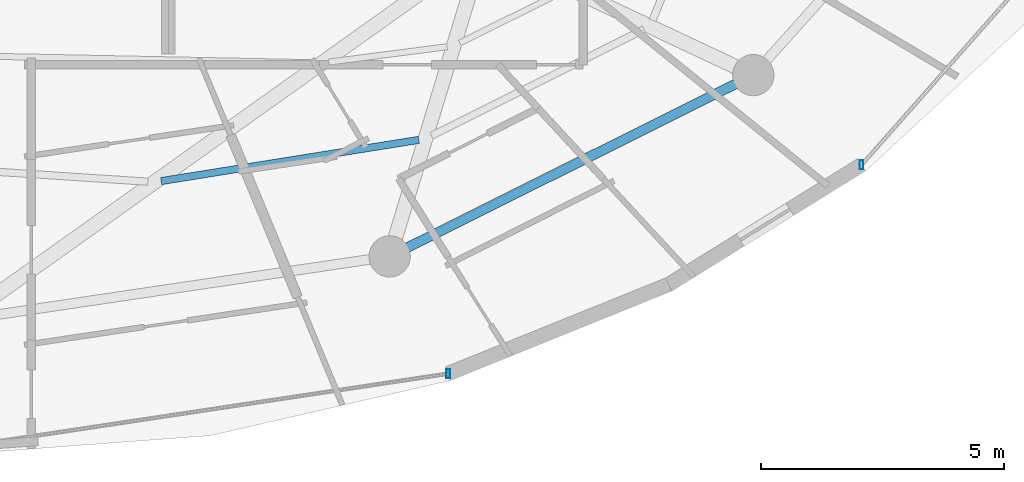
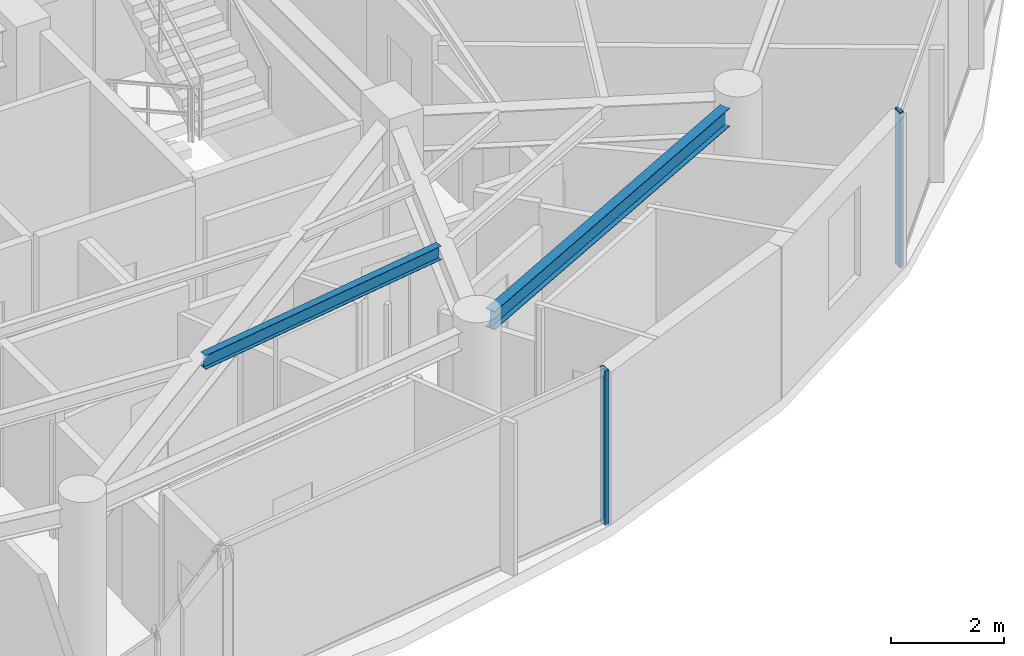
# One storey, part 11 of 31: 2 beams, 2 members, 2 elements without a shape of their own.
"""IFC4 building model written with IfcOpenShell, lengths in metres."""

from ifc_helpers import new_model, si_unit, direction, frame, origin, origin_2d, place, context, subcontext, project, spatial, hollow_rectangle, i_section, extrude, material, material_profile, profile_set, type_object, element, aggregate, save


model = new_model("IFC4")

# Units and contexts
model_context = context("Model", 3, precision=1e-05, world=origin(), true_north=direction((0.0, 1.0)))
body_context = subcontext(model_context, "Body", "Model", "MODEL_VIEW")
ifc_project = project(units=[si_unit("LENGTHUNIT", "METRE"), si_unit("AREAUNIT", "SQUARE_METRE"), si_unit("VOLUMEUNIT", "CUBIC_METRE"), si_unit("PLANEANGLEUNIT", "RADIAN"), si_unit("MASSUNIT", "GRAM", prefix="KILO")], contexts=[model_context])

# Site, building, storey
site_placement = place(None, origin())
site = spatial("IfcSite", under=ifc_project, at=site_placement, CompositionType="ELEMENT")
building_placement = place(site_placement, origin())
building = spatial("IfcBuilding", under=site, at=building_placement, Name="Vorneva Point Tower", CompositionType="ELEMENT")
storey_placement = place(building_placement, frame((0.0, 0.0, 244.89990234375)))
storey = spatial("IfcBuildingStorey", under=building, at=storey_placement, Name="L66", CompositionType="ELEMENT", Elevation=244.89990234375)

# Beams
ifc_material_1 = material(Name="Steel S355", Category="steel")
ifc_material_profile_1 = material_profile(ifc_material_1, i_section(OverallWidth=0.14892578125, OverallDepth=0.298095703125, WebThickness=0.005615234375, FlangeThickness=0.008056640625, at=origin_2d()), Name="30B1")
ifc_profile_set_1 = profile_set([ifc_material_profile_1], Name="Steel S355")
beam_type_1 = type_object("IfcBeamType", Name="BM-JST-30B1", PredefinedType="JOIST", material=ifc_profile_set_1)
beam_1_placement = place(storey_placement, frame((42.121826171875, 11.658203125, 3.14111328125), z_axis=(0.987444038717, 0.157969207134, 0.0), x_axis=(-0.157969207134, 0.987444038717, 0.0)))
element("IfcBeam", 1, at=beam_1_placement, inside=storey, type_object=beam_type_1, Name="L66 Secondary Floor Beam 1.13", PredefinedType="JOIST", context=body_context, shape_type="SweptSolid", body=[
    extrude(i_section(OverallWidth=0.14892578125, OverallDepth=0.298095703125, WebThickness=0.005615234375, FlangeThickness=0.008056640625, at=origin_2d()), origin(), (0.0, 0.0, 1.0), 5.365966796875),
])
ifc_material_profile_2 = material_profile(ifc_material_1, i_section(OverallWidth=0.198974609375, OverallDepth=0.39599609375, WebThickness=0.007080078125, FlangeThickness=0.010986328125, at=origin_2d()), Name="40B1")
ifc_profile_set_2 = profile_set([ifc_material_profile_2], Name="Steel S355")
beam_type_2 = type_object("IfcBeamType", Name="BM-SPN-40B1", PredefinedType="SPANDREL", material=ifc_profile_set_2)
beam_2_placement = place(storey_placement, frame((47.187744140625, 10.292236328125, 3.092041015625), z_axis=(0.894932011528, 0.446202526599, 0.0), x_axis=(-0.446202526599, 0.894932011528, 0.0)))
element("IfcBeam", 2, at=beam_2_placement, inside=storey, type_object=beam_type_2, Name="L66 Perimeter Spandrel Ring Beam 14", PredefinedType="SPANDREL", context=body_context, shape_type="SweptSolid", body=[
    extrude(i_section(OverallWidth=0.198974609375, OverallDepth=0.39599609375, WebThickness=0.007080078125, FlangeThickness=0.010986328125, at=origin_2d()), origin(), (0.0, 0.0, 1.0), 7.535888671875),
])

# Curtain wall, member
ifc_material_2 = material(Name="Pale anodised aluminium", Category="aluminium")
curtain_wall_type = type_object("IfcCurtainWallType", Name="CW-RES-SYS", PredefinedType="NOTDEFINED", material=ifc_material_2)
curtain_wall_1_placement = place(storey_placement, origin())
curtain_wall_1 = element("IfcCurtainWall", 3, at=curtain_wall_1_placement, inside=storey, type_object=curtain_wall_type, Name="L66 Unitised Curtain Wall CW-L66-R01", PredefinedType="NOTDEFINED")
ifc_material_profile_3 = material_profile(ifc_material_2, hollow_rectangle(XDim=0.074951171875, YDim=0.179931640625, WallThickness=0.00390625, at=origin_2d()), Name="AL-MUL 180x75x4")
ifc_profile_set_3 = profile_set([ifc_material_profile_3], Name="Pale anodised aluminium")
member_type = type_object("IfcMemberType", Name="CW-MUL-180", PredefinedType="MULLION", material=ifc_profile_set_3)
member_1_placement = place(storey_placement, frame((56.526123046875, 11.9921875, -0.039794921875), z_axis=(0.0, 0.0, 1.0), x_axis=(1.0, 0.0, 0.0)))
member_1 = element("IfcMember", 4, at=member_1_placement, type_object=member_type, Name="CW-L66-R01 Mullion 01", PredefinedType="MULLION", context=body_context, shape_type="SweptSolid", body=[
    extrude(hollow_rectangle(XDim=0.074951171875, YDim=0.179931640625, WallThickness=0.00390625, at=origin_2d()), origin(), (0.0, 0.0, 1.0), 3.35986328125),
])
aggregate(curtain_wall_1, [member_1])

curtain_wall_2_placement = place(storey_placement, origin())
curtain_wall_2 = element("IfcCurtainWall", 5, at=curtain_wall_2_placement, inside=storey, type_object=curtain_wall_type, Name="L66 Unitised Curtain Wall CW-L66-R04", PredefinedType="NOTDEFINED")
member_2_placement = place(storey_placement, frame((48.0263671875, 7.697998046875, -0.039794921875), z_axis=(0.0, 0.0, 1.0), x_axis=(1.0, 0.0, 0.0)))
member_2 = element("IfcMember", 6, at=member_2_placement, type_object=member_type, Name="CW-L66-R04 Mullion 03", PredefinedType="MULLION", context=body_context, shape_type="SweptSolid", body=[
    extrude(hollow_rectangle(XDim=0.074951171875, YDim=0.179931640625, WallThickness=0.00390625, at=origin_2d()), origin(), (0.0, 0.0, 1.0), 3.35986328125),
])
aggregate(curtain_wall_2, [member_2])

save(model, "model.ifc")
